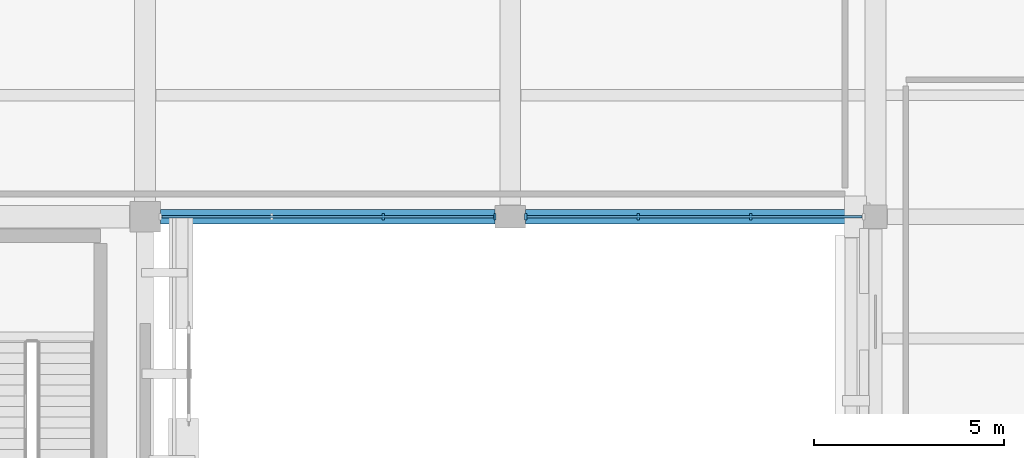
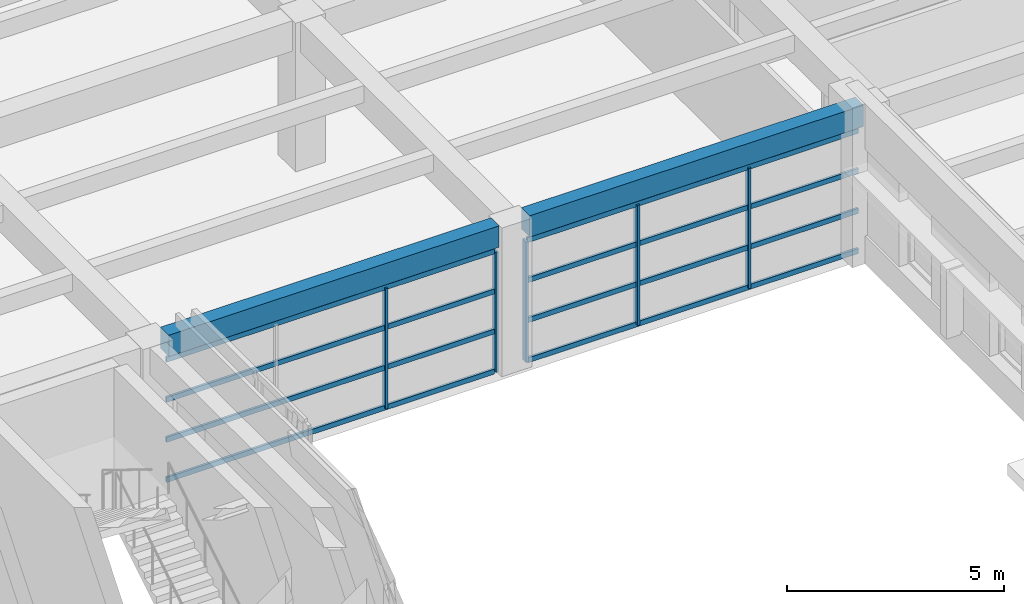
# One storey, part 14 of 49: 13 members, 2 beams, 2 elements without a shape of their own.
"""IFC4 building model written with IfcOpenShell, lengths in metres."""

from ifc_helpers import new_model, si_unit, direction, frame, origin, origin_2d, place, context, subcontext, project, spatial, rectangle, extrude, material, layer, layer_set, material_profile, profile_set, type_object, element, aggregate, save


model = new_model("IFC4")

# Units and contexts
model_context = context("Model", 3, precision=1e-05, world=origin(), true_north=direction((0.0, 1.0)))
body_context = subcontext(model_context, "Body", "Model", "MODEL_VIEW")
ifc_project = project(units=[si_unit("LENGTHUNIT", "METRE"), si_unit("AREAUNIT", "SQUARE_METRE"), si_unit("VOLUMEUNIT", "CUBIC_METRE"), si_unit("PLANEANGLEUNIT", "RADIAN"), si_unit("MASSUNIT", "GRAM", prefix="KILO")], contexts=[model_context])

# Site, building, storey
site_placement = place(None, origin())
site = spatial("IfcSite", under=ifc_project, at=site_placement, CompositionType="ELEMENT")
building_placement = place(site_placement, origin())
building = spatial("IfcBuilding", under=site, at=building_placement, Name="Bempovik Park Faculty of Sciences", CompositionType="ELEMENT")
storey_placement = place(building_placement, frame((0.0, 0.0, 5.39990234375)))
storey = spatial("IfcBuildingStorey", under=building, at=storey_placement, Name="L01", CompositionType="ELEMENT", Elevation=5.39990234375)

# Beams
ifc_material_1 = material(Name="Concrete C35/45", Category="concrete")
ifc_material_profile_1 = material_profile(ifc_material_1, rectangle(XDim=0.3798828125, YDim=0.60009765625, at=origin_2d()), Name="RC 380x600")
ifc_profile_set_1 = profile_set([ifc_material_profile_1], Name="Concrete C35/45")
beam_type = type_object("IfcBeamType", Name="B-032 RC 380x600", PredefinedType="SPANDREL", material=ifc_profile_set_1)
beam_1_placement = place(storey_placement, frame((118.006103515625, 67.800048828125, 3.880126953125), z_axis=(1.0, 0.0, 0.0), x_axis=(0.0, 1.0, 0.0)))
element("IfcBeam", 1, at=beam_1_placement, inside=storey, type_object=beam_type, Name="L01 Beam X (117.6-127.2, y=67.8)", PredefinedType="SPANDREL", context=body_context, shape_type="SweptSolid", body=[
    extrude(rectangle(XDim=0.3798828125, YDim=0.60009765625, at=origin_2d()), origin(), (0.0, 0.0, 1.0), 8.787841796875),
])
beam_2_placement = place(storey_placement, frame((127.60595703125, 67.800048828125, 3.880126953125), z_axis=(1.0, 0.0, 0.0), x_axis=(0.0, 1.0, 0.0)))
element("IfcBeam", 2, at=beam_2_placement, inside=storey, type_object=beam_type, Name="L01 Beam X (127.2-136.8, y=67.8)", PredefinedType="SPANDREL", context=body_context, shape_type="SweptSolid", body=[
    extrude(rectangle(XDim=0.3798828125, YDim=0.60009765625, at=origin_2d()), origin(), (0.0, 0.0, 1.0), 8.8779296875),
])

# Curtain wall, members
ifc_material_2 = material(Name="Tempered laminated low-E glass", Category="glass")
ifc_layer = layer(ifc_material_2, 0.159912109375)
ifc_layer_set = layer_set([ifc_layer], Name="Tempered laminated low-E glass")
curtain_wall_type = type_object("IfcCurtainWallType", Name="CW-52 Curtain 6600x4100", PredefinedType="USERDEFINED", material=ifc_layer_set)
curtain_wall_1_placement = place(storey_placement, origin())
curtain_wall_1 = element("IfcCurtainWall", 3, at=curtain_wall_1_placement, inside=storey, type_object=curtain_wall_type, Name="L01 Unitised Curtain Wall (67.8,117.6)", ObjectType="UNITISED CURTAIN WALL", PredefinedType="USERDEFINED")
ifc_material_3 = material(Name="Anodised architectural bronze", Category="aluminium")
ifc_material_profile_2 = material_profile(ifc_material_3, rectangle(XDim=0.06494140625, YDim=0.169921875, at=origin_2d()), Name="ALU-M 65x170")
ifc_profile_set_2 = profile_set([ifc_material_profile_2], Name="Anodised architectural bronze")
member_type_1 = type_object("IfcMemberType", Name="ML-15 ALU-M 65x170", PredefinedType="MULLION", material=ifc_profile_set_2)
member_1_placement = place(storey_placement, frame((123.865966796875, 67.800048828125, 0.0), z_axis=(0.0, 0.0, 1.0), x_axis=(1.0, 0.0, 0.0)))
member_1 = element("IfcMember", 4, at=member_1_placement, type_object=member_type_1, Name="CW-BAY-L01-678-1176 Mullion 2", PredefinedType="MULLION", context=body_context, shape_type="SweptSolid", body=[
    extrude(rectangle(XDim=0.06494140625, YDim=0.169921875, at=origin_2d()), origin(), (0.0, 0.0, 1.0), 3.380126953125),
])
member_2_placement = place(storey_placement, frame((126.798095703125, 67.800048828125, 0.0), z_axis=(0.0, 0.0, 1.0), x_axis=(1.0, 0.0, 0.0)))
member_2 = element("IfcMember", 5, at=member_2_placement, type_object=member_type_1, Name="CW-BAY-L01-678-1176 Mullion 3", PredefinedType="MULLION", context=body_context, shape_type="SweptSolid", body=[
    extrude(rectangle(XDim=0.06494140625, YDim=0.169921875, at=origin_2d()), origin(), (0.0, 0.0, 1.0), 3.380126953125),
])

curtain_wall_2_placement = place(storey_placement, origin())
curtain_wall_2 = element("IfcCurtainWall", 6, at=curtain_wall_2_placement, inside=storey, type_object=curtain_wall_type, Name="L01 Unitised Curtain Wall (67.8,127.2)", ObjectType="UNITISED CURTAIN WALL", PredefinedType="USERDEFINED")
member_3_placement = place(storey_placement, frame((127.60205078125, 67.800048828125, 0.0), z_axis=(0.0, 0.0, 1.0), x_axis=(1.0, 0.0, 0.0)))
member_3 = element("IfcMember", 7, at=member_3_placement, type_object=member_type_1, Name="CW-BAY-L01-678-1272 Mullion 0", PredefinedType="MULLION", context=body_context, shape_type="SweptSolid", body=[
    extrude(rectangle(XDim=0.06494140625, YDim=0.169921875, at=origin_2d()), origin(), (0.0, 0.0, 1.0), 3.380126953125),
])
member_4_placement = place(storey_placement, frame((130.56396484375, 67.800048828125, 0.0), z_axis=(0.0, 0.0, 1.0), x_axis=(1.0, 0.0, 0.0)))
member_4 = element("IfcMember", 8, at=member_4_placement, type_object=member_type_1, Name="CW-BAY-L01-678-1272 Mullion 1", PredefinedType="MULLION", context=body_context, shape_type="SweptSolid", body=[
    extrude(rectangle(XDim=0.06494140625, YDim=0.169921875, at=origin_2d()), origin(), (0.0, 0.0, 1.0), 3.380126953125),
])
member_5_placement = place(storey_placement, frame((133.52587890625, 67.800048828125, 0.0), z_axis=(0.0, 0.0, 1.0), x_axis=(1.0, 0.0, 0.0)))
member_5 = element("IfcMember", 9, at=member_5_placement, type_object=member_type_1, Name="CW-BAY-L01-678-1272 Mullion 2", PredefinedType="MULLION", context=body_context, shape_type="SweptSolid", body=[
    extrude(rectangle(XDim=0.06494140625, YDim=0.169921875, at=origin_2d()), origin(), (0.0, 0.0, 1.0), 3.380126953125),
])

# Member
ifc_material_profile_3 = material_profile(ifc_material_3, rectangle(XDim=0.06494140625, YDim=0.139892578125, at=origin_2d()), Name="ALU-T 65x140")
ifc_profile_set_3 = profile_set([ifc_material_profile_3], Name="Anodised architectural bronze")
member_type_2 = type_object("IfcMemberType", Name="TR-17 ALU-T 65x140", PredefinedType="USERDEFINED", material=ifc_profile_set_3)
member_6_placement = place(storey_placement, frame((118.0419921875, 67.800048828125, 0.0), z_axis=(1.0, 0.0, 0.0), x_axis=(0.0, 1.0, 0.0)))
member_6 = element("IfcMember", 10, at=member_6_placement, type_object=member_type_2, Name="CW-BAY-L01-678-1176 Transom 0", ObjectType="TRANSOM", PredefinedType="USERDEFINED", context=body_context, shape_type="SweptSolid", body=[
    extrude(rectangle(XDim=0.06494140625, YDim=0.139892578125, at=origin_2d()), origin(), (0.0, 0.0, 1.0), 8.716064453125),
])

member_7_placement = place(storey_placement, frame((118.0419921875, 67.800048828125, 1.126708984375), z_axis=(1.0, 0.0, 0.0), x_axis=(0.0, 1.0, 0.0)))
member_7 = element("IfcMember", 11, at=member_7_placement, type_object=member_type_2, Name="CW-BAY-L01-678-1176 Transom 1", ObjectType="TRANSOM", PredefinedType="USERDEFINED", context=body_context, shape_type="SweptSolid", body=[
    extrude(rectangle(XDim=0.06494140625, YDim=0.139892578125, at=origin_2d()), origin(), (0.0, 0.0, 1.0), 8.716064453125),
])

member_8_placement = place(storey_placement, frame((118.0419921875, 67.800048828125, 2.25341796875), z_axis=(1.0, 0.0, 0.0), x_axis=(0.0, 1.0, 0.0)))
member_8 = element("IfcMember", 12, at=member_8_placement, type_object=member_type_2, Name="CW-BAY-L01-678-1176 Transom 2", ObjectType="TRANSOM", PredefinedType="USERDEFINED", context=body_context, shape_type="SweptSolid", body=[
    extrude(rectangle(XDim=0.06494140625, YDim=0.139892578125, at=origin_2d()), origin(), (0.0, 0.0, 1.0), 8.716064453125),
])

member_9_placement = place(storey_placement, frame((118.0419921875, 67.800048828125, 3.380126953125), z_axis=(1.0, 0.0, 0.0), x_axis=(0.0, 1.0, 0.0)))
member_9 = element("IfcMember", 13, at=member_9_placement, type_object=member_type_2, Name="CW-BAY-L01-678-1176 Transom 3", ObjectType="TRANSOM", PredefinedType="USERDEFINED", context=body_context, shape_type="SweptSolid", body=[
    extrude(rectangle(XDim=0.06494140625, YDim=0.139892578125, at=origin_2d()), origin(), (0.0, 0.0, 1.0), 8.716064453125),
])

aggregate(curtain_wall_1, [member_1, member_2, member_6, member_7, member_8, member_9])

member_10_placement = place(storey_placement, frame((127.64208984375, 67.800048828125, 0.0), z_axis=(1.0, 0.0, 0.0), x_axis=(0.0, 1.0, 0.0)))
member_10 = element("IfcMember", 14, at=member_10_placement, type_object=member_type_2, Name="CW-BAY-L01-678-1272 Transom 0", ObjectType="TRANSOM", PredefinedType="USERDEFINED", context=body_context, shape_type="SweptSolid", body=[
    extrude(rectangle(XDim=0.06494140625, YDim=0.139892578125, at=origin_2d()), origin(), (0.0, 0.0, 1.0), 8.805908203125),
])

member_11_placement = place(storey_placement, frame((127.64208984375, 67.800048828125, 1.126708984375), z_axis=(1.0, 0.0, 0.0), x_axis=(0.0, 1.0, 0.0)))
member_11 = element("IfcMember", 15, at=member_11_placement, type_object=member_type_2, Name="CW-BAY-L01-678-1272 Transom 1", ObjectType="TRANSOM", PredefinedType="USERDEFINED", context=body_context, shape_type="SweptSolid", body=[
    extrude(rectangle(XDim=0.06494140625, YDim=0.139892578125, at=origin_2d()), origin(), (0.0, 0.0, 1.0), 8.805908203125),
])

member_12_placement = place(storey_placement, frame((127.64208984375, 67.800048828125, 2.25341796875), z_axis=(1.0, 0.0, 0.0), x_axis=(0.0, 1.0, 0.0)))
member_12 = element("IfcMember", 16, at=member_12_placement, type_object=member_type_2, Name="CW-BAY-L01-678-1272 Transom 2", ObjectType="TRANSOM", PredefinedType="USERDEFINED", context=body_context, shape_type="SweptSolid", body=[
    extrude(rectangle(XDim=0.06494140625, YDim=0.139892578125, at=origin_2d()), origin(), (0.0, 0.0, 1.0), 8.805908203125),
])

member_13_placement = place(storey_placement, frame((127.64208984375, 67.800048828125, 3.380126953125), z_axis=(1.0, 0.0, 0.0), x_axis=(0.0, 1.0, 0.0)))
member_13 = element("IfcMember", 17, at=member_13_placement, type_object=member_type_2, Name="CW-BAY-L01-678-1272 Transom 3", ObjectType="TRANSOM", PredefinedType="USERDEFINED", context=body_context, shape_type="SweptSolid", body=[
    extrude(rectangle(XDim=0.06494140625, YDim=0.139892578125, at=origin_2d()), origin(), (0.0, 0.0, 1.0), 8.805908203125),
])

aggregate(curtain_wall_2, [member_3, member_4, member_5, member_10, member_11, member_12, member_13])

save(model, "model.ifc")
